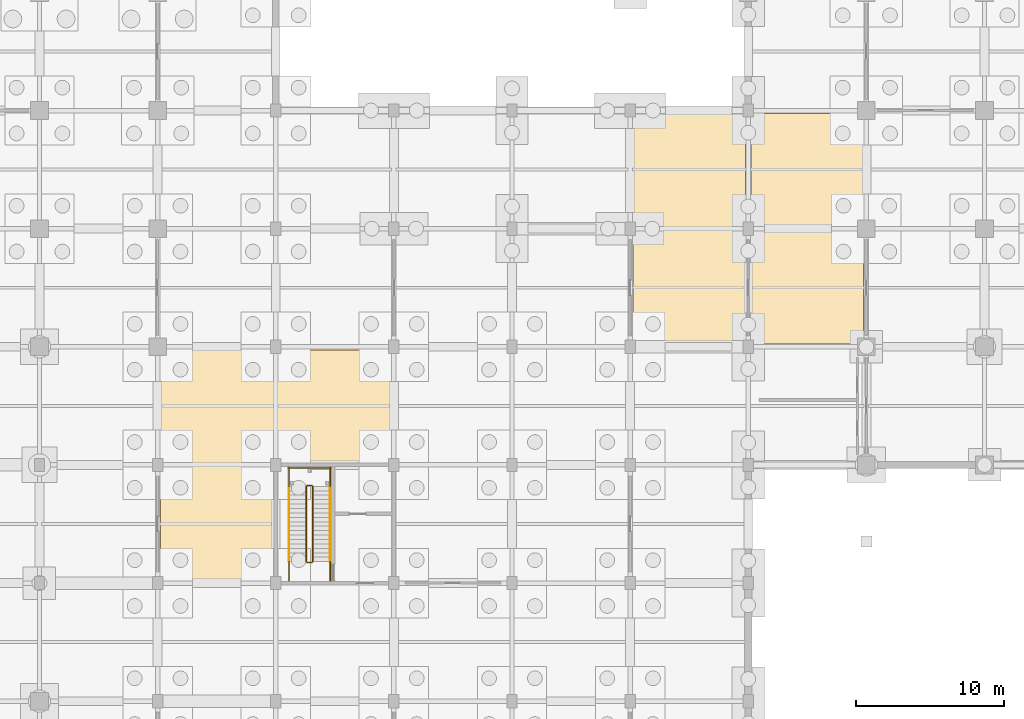
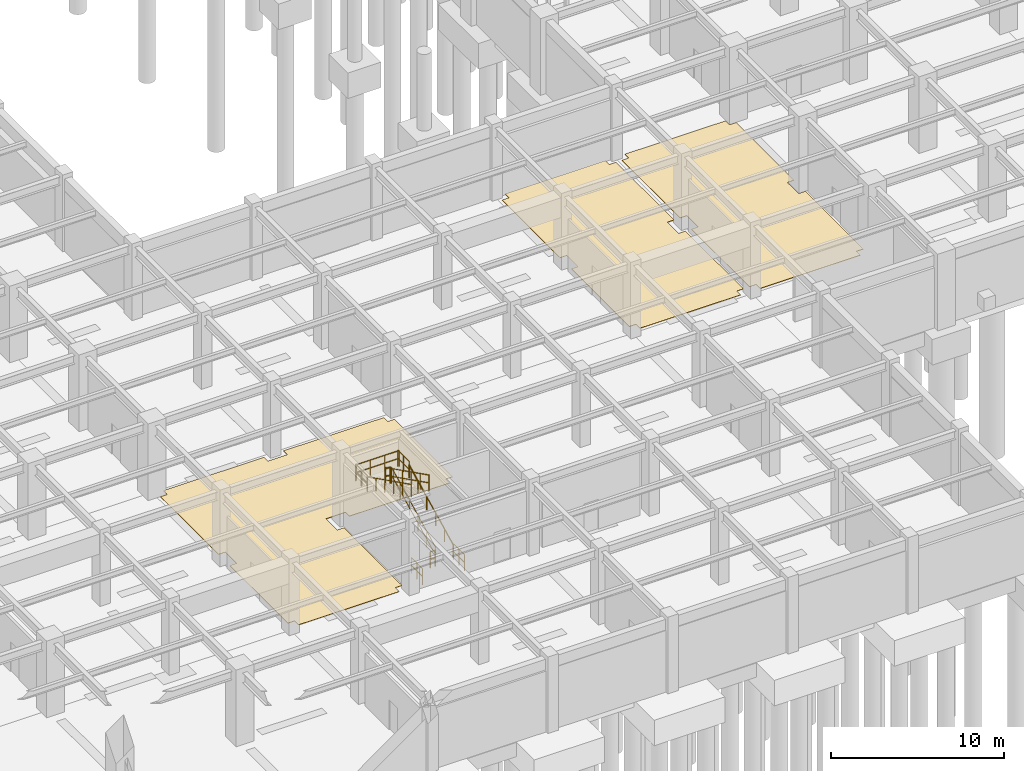
# One storey, part 92 of 97: 11 railings, 3 coverings.
"""IFC4 building model written with IfcOpenShell, lengths in metres."""

from ifc_helpers import new_model, si_unit, direction, frame, origin, origin_2d, place, context, subcontext, project, spatial, polyline, circle, outline, extrude, material, layer, layer_set, type_object, element, save


model = new_model("IFC4")

# Units and contexts
model_context = context("Model", 3, precision=1e-05, world=origin(), true_north=direction((0.0, 1.0)))
body_context = subcontext(model_context, "Body", "Model", "MODEL_VIEW")
ifc_project = project(units=[si_unit("LENGTHUNIT", "METRE"), si_unit("AREAUNIT", "SQUARE_METRE"), si_unit("VOLUMEUNIT", "CUBIC_METRE"), si_unit("PLANEANGLEUNIT", "RADIAN"), si_unit("MASSUNIT", "GRAM", prefix="KILO")], contexts=[model_context])

# Site, building, storey
site_placement = place(None, origin())
site = spatial("IfcSite", under=ifc_project, at=site_placement, CompositionType="ELEMENT")
building_placement = place(site_placement, origin())
building = spatial("IfcBuilding", under=site, at=building_placement, Name="Haebicheon Civic Stadium", CompositionType="ELEMENT")
storey_placement = place(building_placement, frame((0.0, 0.0, -5.39990234375)))
storey = spatial("IfcBuildingStorey", under=building, at=storey_placement, Name="B1", CompositionType="ELEMENT", Elevation=-5.39990234375)

# Coverings
ifc_material_1 = material(Name="Quartz epoxy resin mortar", Category="concrete")
ifc_layer = layer(ifc_material_1, 0.030029296875, Name="Quartz epoxy resin mortar")
ifc_layer_set = layer_set([ifc_layer], Name="Quartz epoxy resin mortar")
covering_type = type_object("IfcCoveringType", Name="COV-FLR-EPX", PredefinedType="FLOORING", material=ifc_layer_set)
covering_1_placement = place(storey_placement, origin())
element("IfcCovering", 1, at=covering_1_placement, inside=storey, type_object=covering_type, material=ifc_layer_set, Name="B1 Community Team Changing Room non-slip floor finish", PredefinedType="FLOORING", context=body_context, shape_type="SweptSolid", body=[
    extrude(outline(polyline([(200.64990234375, 32.199951171875), (200.64990234375, 32.64990234375), (200.199951171875, 32.64990234375), (200.199951171875, 39.35009765625), (200.64990234375, 39.35009765625), (200.64990234375, 40.64990234375), (200.199951171875, 40.64990234375), (200.199951171875, 47.35009765625), (200.64990234375, 47.35009765625), (200.64990234375, 47.800048828125), (207.35009765625, 47.800048828125), (207.35009765625, 47.35009765625), (207.800048828125, 47.35009765625), (207.800048828125, 40.64990234375), (207.35009765625, 40.64990234375), (207.35009765625, 39.35009765625), (207.800048828125, 39.35009765625), (207.800048828125, 32.64990234375), (207.35009765625, 32.64990234375), (207.35009765625, 32.199951171875), (200.64990234375, 32.199951171875)])), origin(), (0.0, 0.0, 1.0), 0.02978515625),
])
covering_2_placement = place(storey_placement, origin())
element("IfcCovering", 2, at=covering_2_placement, inside=storey, type_object=covering_type, material=ifc_layer_set, Name="B1 Broadcast Fibre Patch Room non-slip floor finish", PredefinedType="FLOORING", context=body_context, shape_type="SweptSolid", body=[
    extrude(outline(polyline([(160.64990234375, 16.199951171875), (160.64990234375, 16.64990234375), (160.199951171875, 16.64990234375), (160.199951171875, 23.35009765625), (160.64990234375, 23.35009765625), (160.64990234375, 24.64990234375), (160.199951171875, 24.64990234375), (160.199951171875, 31.35009765625), (160.64990234375, 31.35009765625), (160.64990234375, 31.800048828125), (167.35009765625, 31.800048828125), (167.35009765625, 31.35009765625), (168.64990234375, 31.35009765625), (168.64990234375, 31.800048828125), (175.35009765625, 31.800048828125), (175.35009765625, 31.35009765625), (175.800048828125, 31.35009765625), (175.800048828125, 24.64990234375), (175.35009765625, 24.64990234375), (175.35009765625, 24.199951171875), (168.64990234375, 24.199951171875), (168.64990234375, 24.64990234375), (167.35009765625, 24.64990234375), (167.35009765625, 23.35009765625), (167.800048828125, 23.35009765625), (167.800048828125, 16.64990234375), (167.35009765625, 16.64990234375), (167.35009765625, 16.199951171875), (160.64990234375, 16.199951171875)])), origin(), (0.0, 0.0, 1.0), 0.02978515625),
])
covering_3_placement = place(storey_placement, origin())
element("IfcCovering", 3, at=covering_3_placement, inside=storey, type_object=covering_type, material=ifc_layer_set, Name="B1 Broadcast Fibre Patch Room non-slip floor finish", PredefinedType="FLOORING", context=body_context, shape_type="SweptSolid", body=[
    extrude(outline(polyline([(192.64990234375, 32.199951171875), (192.64990234375, 32.64990234375), (192.199951171875, 32.64990234375), (192.199951171875, 39.35009765625), (192.64990234375, 39.35009765625), (192.64990234375, 40.64990234375), (192.199951171875, 40.64990234375), (192.199951171875, 47.35009765625), (192.64990234375, 47.35009765625), (192.64990234375, 47.800048828125), (199.35009765625, 47.800048828125), (199.35009765625, 47.35009765625), (199.800048828125, 47.35009765625), (199.800048828125, 40.64990234375), (199.35009765625, 40.64990234375), (199.35009765625, 39.35009765625), (199.800048828125, 39.35009765625), (199.800048828125, 32.64990234375), (199.35009765625, 32.64990234375), (199.35009765625, 32.199951171875), (192.64990234375, 32.199951171875)])), origin(), (0.0, 0.0, 1.0), 0.02978515625),
])

# Railings
ifc_material_2 = material(Name="Galvanised painted steel SM355", Category="steel")
railing_type_1 = type_object("IfcRailingType", Name="RL-GRD-1150", PredefinedType="GUARDRAIL", material=ifc_material_2)
railing_1_placement = place(storey_placement, frame((170.510009765625, 17.449951171875, 0.14990234375)))
element("IfcRailing", 4, at=railing_1_placement, inside=storey, type_object=railing_type_1, material=ifc_material_2, Name="B1 ST-14 stair guard 1", PredefinedType="GUARDRAIL", context=body_context, shape_type="SweptSolid", body=[
    extrude(circle(Radius=0.02392578125, at=origin_2d()), frame((0.0, 0.0, 1.1259765625), z_axis=(0.0, 0.894427191, 0.4472135955), x_axis=(-1.0, 0.0, 0.0)), (0.0, 0.0, 1.0), 5.7021484375),
    extrude(circle(Radius=0.02392578125, at=origin_2d()), frame((0.0, 0.0, 0.574951171875), z_axis=(0.0, 0.894427191, 0.4472135955), x_axis=(-1.0, 0.0, 0.0)), (0.0, 0.0, 1.0), 5.7021484375),
    extrude(circle(Radius=0.02099609375, at=origin_2d()), origin(), (0.0, 0.0, 1.0), 1.101806640625),
    extrude(circle(Radius=0.02099609375, at=origin_2d()), frame((0.0, 1.02001953125, 0.510009765625)), (0.0, 0.0, 1.0), 1.101806640625),
    extrude(circle(Radius=0.02099609375, at=origin_2d()), frame((0.0, 2.0400390625, 1.02001953125)), (0.0, 0.0, 1.0), 1.101806640625),
    extrude(circle(Radius=0.02099609375, at=origin_2d()), frame((0.0, 3.06005859375, 1.530029296875)), (0.0, 0.0, 1.0), 1.101806640625),
    extrude(circle(Radius=0.02099609375, at=origin_2d()), frame((0.0, 4.080078125, 2.0400390625)), (0.0, 0.0, 1.0), 1.101806640625),
    extrude(circle(Radius=0.02099609375, at=origin_2d()), frame((0.0, 5.10009765625, 2.550048828125)), (0.0, 0.0, 1.0), 1.101806640625),
])
railing_2_placement = place(storey_placement, frame((170.4599609375, 22.60009765625, 2.699951171875)))
element("IfcRailing", 5, at=railing_2_placement, inside=storey, type_object=railing_type_1, material=ifc_material_2, Name="B1 ST-14 stair guard 2", PredefinedType="GUARDRAIL", context=body_context, shape_type="SweptSolid", body=[
    extrude(circle(Radius=0.02392578125, at=origin_2d()), frame((0.0, 0.0, 1.1259765625), z_axis=(-1.0, 0.0, 0.0), x_axis=(0.0, -1.0, 0.0)), (0.0, 0.0, 1.0), 0.33984375),
    extrude(circle(Radius=0.02392578125, at=origin_2d()), frame((0.0, 0.0, 0.574951171875), z_axis=(-1.0, 0.0, 0.0), x_axis=(0.0, -1.0, 0.0)), (0.0, 0.0, 1.0), 0.33984375),
    extrude(circle(Radius=0.02099609375, at=origin_2d()), origin(), (0.0, 0.0, 1.0), 1.101806640625),
    extrude(circle(Radius=0.02099609375, at=origin_2d()), frame((-0.33984375, 0.0, 0.0)), (0.0, 0.0, 1.0), 1.101806640625),
])
for number, where, name in (
    (6, (171.68994140625, 22.550048828125, 2.699951171875), "B1 ST-14 stair guard 3"),
    (7, (168.889892578125, 22.550048828125, 2.699951171875), "B1 ST-14 stair guard 4"),
):
    element("IfcRailing", number, at=place(storey_placement, frame(where)), inside=storey, type_object=railing_type_1, material=ifc_material_2, Name=name, PredefinedType="GUARDRAIL", context=body_context, shape_type="SweptSolid", body=[
        extrude(circle(Radius=0.02392578125, at=origin_2d()), frame((0.0, 0.0, 1.1259765625), z_axis=(0.0, 1.0, 0.0), x_axis=(-1.0, 0.0, 0.0)), (0.0, 0.0, 1.0), 1.2900390625),
        extrude(circle(Radius=0.02392578125, at=origin_2d()), frame((0.0, 0.0, 0.574951171875), z_axis=(0.0, 1.0, 0.0), x_axis=(-1.0, 0.0, 0.0)), (0.0, 0.0, 1.0), 1.2900390625),
        extrude(circle(Radius=0.02099609375, at=origin_2d()), origin(), (0.0, 0.0, 1.0), 1.101806640625),
        extrude(circle(Radius=0.02099609375, at=origin_2d()), frame((0.0, 0.64501953125, 0.0)), (0.0, 0.0, 1.0), 1.101806640625),
        extrude(circle(Radius=0.02099609375, at=origin_2d()), frame((0.0, 1.2900390625, 0.0)), (0.0, 0.0, 1.0), 1.101806640625),
    ])
railing_3_placement = place(storey_placement, frame((171.739990234375, 23.7900390625, 2.699951171875)))
element("IfcRailing", 8, at=railing_3_placement, inside=storey, type_object=railing_type_1, material=ifc_material_2, Name="B1 ST-14 stair guard 5", PredefinedType="GUARDRAIL", context=body_context, shape_type="SweptSolid", body=[
    extrude(circle(Radius=0.02392578125, at=origin_2d()), frame((0.0, 0.0, 1.1259765625), z_axis=(-1.0, 0.0, 0.0), x_axis=(0.0, -1.0, 0.0)), (0.0, 0.0, 1.0), 2.89990234375),
    extrude(circle(Radius=0.02392578125, at=origin_2d()), frame((0.0, 0.0, 0.574951171875), z_axis=(-1.0, 0.0, 0.0), x_axis=(0.0, -1.0, 0.0)), (0.0, 0.0, 1.0), 2.89990234375),
    extrude(circle(Radius=0.02099609375, at=origin_2d()), origin(), (0.0, 0.0, 1.0), 1.101806640625),
    extrude(circle(Radius=0.02099609375, at=origin_2d()), frame((-0.966552734375, 0.0, 0.0)), (0.0, 0.0, 1.0), 1.101806640625),
    extrude(circle(Radius=0.02099609375, at=origin_2d()), frame((-1.933349609375, 0.0, 0.0)), (0.0, 0.0, 1.0), 1.101806640625),
    extrude(circle(Radius=0.02099609375, at=origin_2d()), frame((-2.89990234375, 0.0, 0.0)), (0.0, 0.0, 1.0), 1.101806640625),
])
railing_4_placement = place(storey_placement, frame((170.070068359375, 22.550048828125, 2.849853515625)))
element("IfcRailing", 9, at=railing_4_placement, inside=storey, type_object=railing_type_1, material=ifc_material_2, Name="B1 ST-14 stair guard 6", PredefinedType="GUARDRAIL", context=body_context, shape_type="SweptSolid", body=[
    extrude(circle(Radius=0.02392578125, at=origin_2d()), frame((0.0, 0.0, 1.1259765625), z_axis=(0.0, -0.894427191, 0.4472135955), x_axis=(1.0, 0.0, 0.0)), (0.0, 0.0, 1.0), 5.7021484375),
    extrude(circle(Radius=0.02392578125, at=origin_2d()), frame((0.0, 0.0, 0.574951171875), z_axis=(0.0, -0.894427191, 0.4472135955), x_axis=(1.0, 0.0, 0.0)), (0.0, 0.0, 1.0), 5.7021484375),
    extrude(circle(Radius=0.02099609375, at=origin_2d()), origin(), (0.0, 0.0, 1.0), 1.101806640625),
    extrude(circle(Radius=0.02099609375, at=origin_2d()), frame((0.0, -1.02001953125, 0.510009765625)), (0.0, 0.0, 1.0), 1.101806640625),
    extrude(circle(Radius=0.02099609375, at=origin_2d()), frame((0.0, -2.0400390625, 1.02001953125)), (0.0, 0.0, 1.0), 1.101806640625),
    extrude(circle(Radius=0.02099609375, at=origin_2d()), frame((0.0, -3.06005859375, 1.530029296875)), (0.0, 0.0, 1.0), 1.101806640625),
    extrude(circle(Radius=0.02099609375, at=origin_2d()), frame((0.0, -4.080078125, 2.0400390625)), (0.0, 0.0, 1.0), 1.101806640625),
    extrude(circle(Radius=0.02099609375, at=origin_2d()), frame((0.0, -5.10009765625, 2.550048828125)), (0.0, 0.0, 1.0), 1.101806640625),
])
railing_5_placement = place(storey_placement, frame((170.4599609375, 17.39990234375, 0.0)))
element("IfcRailing", 10, at=railing_5_placement, inside=storey, type_object=railing_type_1, material=ifc_material_2, Name="B1 ST-14 stair guard 7", PredefinedType="GUARDRAIL", context=body_context, shape_type="SweptSolid", body=[
    extrude(circle(Radius=0.02392578125, at=origin_2d()), frame((0.0, 0.0, 1.1259765625), z_axis=(-1.0, 0.0, 0.0), x_axis=(0.0, -1.0, 0.0)), (0.0, 0.0, 1.0), 0.33984375),
    extrude(circle(Radius=0.02392578125, at=origin_2d()), frame((0.0, 0.0, 0.574951171875), z_axis=(-1.0, 0.0, 0.0), x_axis=(0.0, -1.0, 0.0)), (0.0, 0.0, 1.0), 0.33984375),
    extrude(circle(Radius=0.02099609375, at=origin_2d()), origin(), (0.0, 0.0, 1.0), 1.101806640625),
    extrude(circle(Radius=0.02099609375, at=origin_2d()), frame((-0.33984375, 0.0, 0.0)), (0.0, 0.0, 1.0), 1.101806640625),
])
for number, where, name in (
    (11, (171.68994140625, 16.159912109375, 0.0), "B1 ST-14 stair guard 8"),
    (12, (168.889892578125, 16.159912109375, 0.0), "B1 ST-14 stair guard 9"),
):
    element("IfcRailing", number, at=place(storey_placement, frame(where)), inside=storey, type_object=railing_type_1, material=ifc_material_2, Name=name, PredefinedType="GUARDRAIL", context=body_context, shape_type="SweptSolid", body=[
        extrude(circle(Radius=0.02392578125, at=origin_2d()), frame((0.0, 0.0, 1.1259765625), z_axis=(0.0, 1.0, 0.0), x_axis=(-1.0, 0.0, 0.0)), (0.0, 0.0, 1.0), 1.2900390625),
        extrude(circle(Radius=0.02392578125, at=origin_2d()), frame((0.0, 0.0, 0.574951171875), z_axis=(0.0, 1.0, 0.0), x_axis=(-1.0, 0.0, 0.0)), (0.0, 0.0, 1.0), 1.2900390625),
        extrude(circle(Radius=0.02099609375, at=origin_2d()), origin(), (0.0, 0.0, 1.0), 1.101806640625),
        extrude(circle(Radius=0.02099609375, at=origin_2d()), frame((0.0, 0.64501953125, 0.0)), (0.0, 0.0, 1.0), 1.101806640625),
        extrude(circle(Radius=0.02099609375, at=origin_2d()), frame((0.0, 1.2900390625, 0.0)), (0.0, 0.0, 1.0), 1.101806640625),
    ])
ifc_material_3 = material(Name="Stainless steel 316", Category="steel")
railing_type_2 = type_object("IfcRailingType", Name="RL-HND-900", PredefinedType="HANDRAIL", material=ifc_material_3)
railing_6_placement = place(storey_placement, frame((171.68994140625, 17.449951171875, 0.14990234375)))
element("IfcRailing", 13, at=railing_6_placement, inside=storey, type_object=railing_type_2, material=ifc_material_3, Name="B1 ST-14 stair handrail 1", PredefinedType="HANDRAIL", context=body_context, shape_type="SweptSolid", body=[
    extrude(circle(Radius=0.02392578125, at=origin_2d()), frame((0.0, 0.0, 0.8759765625), z_axis=(0.0, 0.894427191, 0.4472135955), x_axis=(-1.0, 0.0, 0.0)), (0.0, 0.0, 1.0), 5.7021484375),
    extrude(circle(Radius=0.02099609375, at=origin_2d()), origin(), (0.0, 0.0, 1.0), 0.851806640625),
    extrude(circle(Radius=0.02099609375, at=origin_2d()), frame((0.0, 1.02001953125, 0.510009765625)), (0.0, 0.0, 1.0), 0.851806640625),
    extrude(circle(Radius=0.02099609375, at=origin_2d()), frame((0.0, 2.0400390625, 1.02001953125)), (0.0, 0.0, 1.0), 0.851806640625),
    extrude(circle(Radius=0.02099609375, at=origin_2d()), frame((0.0, 3.06005859375, 1.530029296875)), (0.0, 0.0, 1.0), 0.851806640625),
    extrude(circle(Radius=0.02099609375, at=origin_2d()), frame((0.0, 4.080078125, 2.0400390625)), (0.0, 0.0, 1.0), 0.851806640625),
    extrude(circle(Radius=0.02099609375, at=origin_2d()), frame((0.0, 5.10009765625, 2.550048828125)), (0.0, 0.0, 1.0), 0.851806640625),
])
railing_7_placement = place(storey_placement, frame((168.889892578125, 22.550048828125, 2.849853515625)))
element("IfcRailing", 14, at=railing_7_placement, inside=storey, type_object=railing_type_2, material=ifc_material_3, Name="B1 ST-14 stair handrail 2", PredefinedType="HANDRAIL", context=body_context, shape_type="SweptSolid", body=[
    extrude(circle(Radius=0.02392578125, at=origin_2d()), frame((0.0, 0.0, 0.8759765625), z_axis=(0.0, -0.894427191, 0.4472135955), x_axis=(1.0, 0.0, 0.0)), (0.0, 0.0, 1.0), 5.7021484375),
    extrude(circle(Radius=0.02099609375, at=origin_2d()), origin(), (0.0, 0.0, 1.0), 0.851806640625),
    extrude(circle(Radius=0.02099609375, at=origin_2d()), frame((0.0, -1.02001953125, 0.510009765625)), (0.0, 0.0, 1.0), 0.851806640625),
    extrude(circle(Radius=0.02099609375, at=origin_2d()), frame((0.0, -2.0400390625, 1.02001953125)), (0.0, 0.0, 1.0), 0.851806640625),
    extrude(circle(Radius=0.02099609375, at=origin_2d()), frame((0.0, -3.06005859375, 1.530029296875)), (0.0, 0.0, 1.0), 0.851806640625),
    extrude(circle(Radius=0.02099609375, at=origin_2d()), frame((0.0, -4.080078125, 2.0400390625)), (0.0, 0.0, 1.0), 0.851806640625),
    extrude(circle(Radius=0.02099609375, at=origin_2d()), frame((0.0, -5.10009765625, 2.550048828125)), (0.0, 0.0, 1.0), 0.851806640625),
])

save(model, "model.ifc")
